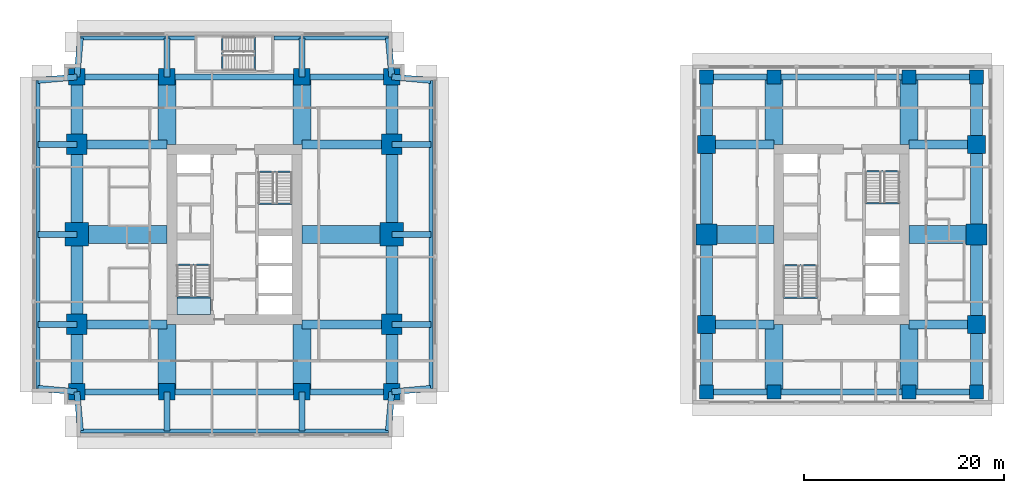
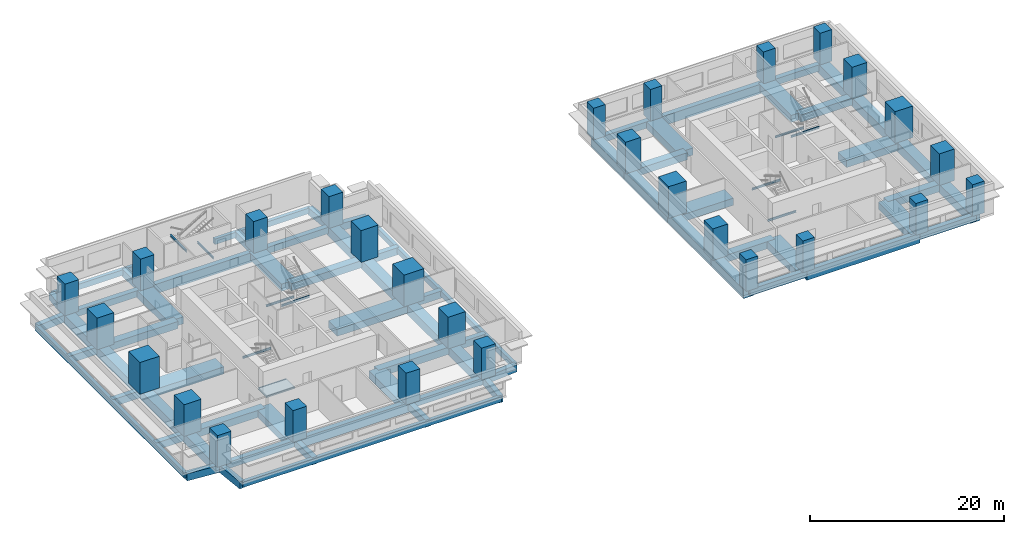
# One storey, part 1 of 11: 81 beams, 28 columns, 1 slab, 1 element without a shape of its own.
"""IFC4 building model written with IfcOpenShell, lengths in metres."""

from ifc_helpers import new_model, si_unit, direction, frame, origin, origin_2d, place, context, subcontext, project, spatial, polyline, rectangle, i_section, outline, extrude, material, layer, layer_set, material_profile, profile_set, type_object, element, aggregate, save


model = new_model("IFC4")

# Units and contexts
model_context = context("Model", 3, precision=1e-05, world=origin(), true_north=direction((0.0, 1.0)))
body_context = subcontext(model_context, "Body", "Model", "MODEL_VIEW")
ifc_project = project(units=[si_unit("LENGTHUNIT", "METRE"), si_unit("AREAUNIT", "SQUARE_METRE"), si_unit("VOLUMEUNIT", "CUBIC_METRE"), si_unit("PLANEANGLEUNIT", "RADIAN"), si_unit("MASSUNIT", "GRAM", prefix="KILO")], contexts=[model_context])

# Site, building, storey
site_placement = place(None, origin())
site = spatial("IfcSite", under=ifc_project, at=site_placement, CompositionType="ELEMENT")
building_placement = place(site_placement, origin())
building = spatial("IfcBuilding", under=site, at=building_placement, Name="Namib Vertical Campus", CompositionType="ELEMENT")
storey_placement = place(building_placement, frame((0.0, 0.0, 189.0)))
storey = spatial("IfcBuildingStorey", under=building, at=storey_placement, Name="L44", CompositionType="ELEMENT", Elevation=189.0)

# Columns
ifc_material_1 = material(Name="Concrete C60/75", Category="concrete")
ifc_material_profile_1 = material_profile(ifc_material_1, rectangle(XDim=1.39990234375, YDim=1.39990234375, at=origin_2d()))
ifc_profile_set_1 = profile_set([ifc_material_profile_1], Name="Concrete C60/75")
column_type_1 = type_object("IfcColumnType", Name="Column RC 1400x1400", PredefinedType="COLUMN", material=ifc_profile_set_1)
for number, where, z_axis, x_axis, name in (
    (1, (67.5, 4.5, 0.0), (0.0, 0.0, 1.0), (1.0, 0.0, 0.0), "Column C140 L44"),
    (2, (74.25, 4.5, 0.0), (0.0, 0.0, 1.0), (1.0, 0.0, 0.0), "Column C140 L44"),
    (3, (87.75, 4.5, 0.0), (0.0, 0.0, 1.0), (1.0, 0.0, 0.0), "Column C140 L44"),
    (4, (94.5, 4.5, 0.0), (0.0, 0.0, 1.0), (1.0, 0.0, 0.0), "Column C140 L44"),
    (5, (67.5, 36.0, 0.0), (0.0, 0.0, 1.0), (1.0, 0.0, 0.0), "Column C140 L44"),
    (6, (74.25, 36.0, 0.0), (0.0, 0.0, 1.0), (1.0, 0.0, 0.0), "Column C140 L44"),
    (7, (87.75, 36.0, 0.0), (0.0, 0.0, 1.0), (1.0, 0.0, 0.0), "Column C140 L44"),
    (8, (94.5, 36.0, 0.0), (0.0, 0.0, 1.0), (1.0, 0.0, 0.0), "Column C140 L44"),
):
    element("IfcColumn", number, at=place(storey_placement, frame(where, z_axis=z_axis, x_axis=x_axis)), inside=storey, type_object=column_type_1, Name=name, PredefinedType="COLUMN", context=body_context, shape_type="SweptSolid", body=[
        extrude(rectangle(XDim=1.39990234375, YDim=1.39990234375, at=origin_2d()), origin(), (0.0, 0.0, 1.0), 4.0),
    ])
ifc_material_2 = material(Name="Concrete C60/75", Category="concrete")
ifc_material_profile_2 = material_profile(ifc_material_2, rectangle(XDim=1.64990234375, YDim=1.64990234375, at=origin_2d()))
ifc_profile_set_2 = profile_set([ifc_material_profile_2], Name="Concrete C60/75")
column_type_2 = type_object("IfcColumnType", Name="Column RC 1650x1650", PredefinedType="COLUMN", material=ifc_profile_set_2)
for number, where, z_axis, x_axis, name in (
    (9, (4.5, 4.5, 0.0), (0.0, 0.0, 1.0), (1.0, 0.0, 0.0), "Column C165 L44"),
    (10, (13.5, 4.5, 0.0), (0.0, 0.0, 1.0), (1.0, 0.0, 0.0), "Column C165 L44"),
    (11, (27.0, 4.5, 0.0), (0.0, 0.0, 1.0), (1.0, 0.0, 0.0), "Column C165 L44"),
    (12, (36.0, 4.5, 0.0), (0.0, 0.0, 1.0), (1.0, 0.0, 0.0), "Column C165 L44"),
    (13, (4.5, 36.0, 0.0), (0.0, 0.0, 1.0), (1.0, 0.0, 0.0), "Column C165 L44"),
    (14, (13.5, 36.0, 0.0), (0.0, 0.0, 1.0), (1.0, 0.0, 0.0), "Column C165 L44"),
    (15, (27.0, 36.0, 0.0), (0.0, 0.0, 1.0), (1.0, 0.0, 0.0), "Column C165 L44"),
    (16, (36.0, 36.0, 0.0), (0.0, 0.0, 1.0), (1.0, 0.0, 0.0), "Column C165 L44"),
):
    element("IfcColumn", number, at=place(storey_placement, frame(where, z_axis=z_axis, x_axis=x_axis)), inside=storey, type_object=column_type_2, Name=name, PredefinedType="COLUMN", context=body_context, shape_type="SweptSolid", body=[
        extrude(rectangle(XDim=1.64990234375, YDim=1.64990234375, at=origin_2d()), origin(), (0.0, 0.0, 1.0), 4.0),
    ])
ifc_material_3 = material(Name="Concrete C60/75", Category="concrete")
ifc_material_profile_3 = material_profile(ifc_material_3, rectangle(XDim=1.800048828125, YDim=1.800048828125, at=origin_2d()))
ifc_profile_set_3 = profile_set([ifc_material_profile_3], Name="Concrete C60/75")
column_type_3 = type_object("IfcColumnType", Name="Column RC 1800x1800", PredefinedType="COLUMN", material=ifc_profile_set_3)
for number, where, z_axis, x_axis, name in (
    (17, (67.5, 11.25, 0.0), (0.0, 0.0, 1.0), (1.0, 0.0, 0.0), "Column C180 L44"),
    (18, (94.5, 11.25, 0.0), (0.0, 0.0, 1.0), (1.0, 0.0, 0.0), "Column C180 L44"),
    (19, (67.5, 29.25, 0.0), (0.0, 0.0, 1.0), (1.0, 0.0, 0.0), "Column C180 L44"),
    (20, (94.5, 29.25, 0.0), (0.0, 0.0, 1.0), (1.0, 0.0, 0.0), "Column C180 L44"),
):
    element("IfcColumn", number, at=place(storey_placement, frame(where, z_axis=z_axis, x_axis=x_axis)), inside=storey, type_object=column_type_3, Name=name, PredefinedType="COLUMN", context=body_context, shape_type="SweptSolid", body=[
        extrude(rectangle(XDim=1.800048828125, YDim=1.800048828125, at=origin_2d()), origin(), (0.0, 0.0, 1.0), 4.0),
    ])
ifc_material_4 = material(Name="Concrete C60/75", Category="concrete")
ifc_material_profile_4 = material_profile(ifc_material_4, rectangle(XDim=2.050048828125, YDim=2.050048828125, at=origin_2d()))
ifc_profile_set_4 = profile_set([ifc_material_profile_4], Name="Concrete C60/75")
column_type_4 = type_object("IfcColumnType", Name="Column RC 2050x2050", PredefinedType="COLUMN", material=ifc_profile_set_4)
for number, where, z_axis, x_axis, name in (
    (21, (4.5, 11.25, 0.0), (0.0, 0.0, 1.0), (1.0, 0.0, 0.0), "Column C205 L44"),
    (22, (36.0, 11.25, 0.0), (0.0, 0.0, 1.0), (1.0, 0.0, 0.0), "Column C205 L44"),
    (23, (4.5, 29.25, 0.0), (0.0, 0.0, 1.0), (1.0, 0.0, 0.0), "Column C205 L44"),
    (24, (36.0, 29.25, 0.0), (0.0, 0.0, 1.0), (1.0, 0.0, 0.0), "Column C205 L44"),
):
    element("IfcColumn", number, at=place(storey_placement, frame(where, z_axis=z_axis, x_axis=x_axis)), inside=storey, type_object=column_type_4, Name=name, PredefinedType="COLUMN", context=body_context, shape_type="SweptSolid", body=[
        extrude(rectangle(XDim=2.050048828125, YDim=2.050048828125, at=origin_2d()), origin(), (0.0, 0.0, 1.0), 4.0),
    ])
ifc_material_5 = material(Name="Concrete C60/75", Category="concrete")
ifc_material_profile_5 = material_profile(ifc_material_5, rectangle(XDim=2.10009765625, YDim=2.10009765625, at=origin_2d()))
ifc_profile_set_5 = profile_set([ifc_material_profile_5], Name="Concrete C60/75")
column_type_5 = type_object("IfcColumnType", Name="Column RC 2100x2100", PredefinedType="COLUMN", material=ifc_profile_set_5)
for number, where, z_axis, x_axis, name in (
    (25, (67.5, 20.25, 0.0), (0.0, 0.0, 1.0), (1.0, 0.0, 0.0), "Column C210 L44"),
    (26, (94.5, 20.25, 0.0), (0.0, 0.0, 1.0), (1.0, 0.0, 0.0), "Column C210 L44"),
):
    element("IfcColumn", number, at=place(storey_placement, frame(where, z_axis=z_axis, x_axis=x_axis)), inside=storey, type_object=column_type_5, Name=name, PredefinedType="COLUMN", context=body_context, shape_type="SweptSolid", body=[
        extrude(rectangle(XDim=2.10009765625, YDim=2.10009765625, at=origin_2d()), origin(), (0.0, 0.0, 1.0), 4.0),
    ])
ifc_material_6 = material(Name="Concrete C60/75", Category="concrete")
ifc_material_profile_6 = material_profile(ifc_material_6, rectangle(XDim=2.35009765625, YDim=2.35009765625, at=origin_2d()))
ifc_profile_set_6 = profile_set([ifc_material_profile_6], Name="Concrete C60/75")
column_type_6 = type_object("IfcColumnType", Name="Column RC 2350x2350", PredefinedType="COLUMN", material=ifc_profile_set_6)
for number, where, z_axis, x_axis, name in (
    (27, (4.5, 20.25, 0.0), (0.0, 0.0, 1.0), (1.0, 0.0, 0.0), "Column C235 L44"),
    (28, (36.0, 20.25, 0.0), (0.0, 0.0, 1.0), (1.0, 0.0, 0.0), "Column C235 L44"),
):
    element("IfcColumn", number, at=place(storey_placement, frame(where, z_axis=z_axis, x_axis=x_axis)), inside=storey, type_object=column_type_6, Name=name, PredefinedType="COLUMN", context=body_context, shape_type="SweptSolid", body=[
        extrude(rectangle(XDim=2.35009765625, YDim=2.35009765625, at=origin_2d()), origin(), (0.0, 0.0, 1.0), 4.0),
    ])

# Beams
ifc_material_7 = material(Name="Concrete C40/50", Category="concrete")
ifc_material_profile_7 = material_profile(ifc_material_7, rectangle(XDim=0.60009765625, YDim=0.89990234375, at=origin_2d()))
ifc_profile_set_7 = profile_set([ifc_material_profile_7], Name="Concrete C40/50")
beam_type_1 = type_object("IfcBeamType", Name="Cantilever girder RC 600x900", PredefinedType="BEAM", material=ifc_profile_set_7)
beam_1_placement = place(storey_placement, frame((4.5, 4.5, -0.699951171875), z_axis=(0.089411326146, -0.995994786511, 0.0), x_axis=(0.995994786511, 0.089411326146, 0.0)))
element("IfcBeam", 29, at=beam_1_placement, inside=storey, type_object=beam_type_1, Name="Beam B3 L44", PredefinedType="BEAM", context=body_context, shape_type="SweptSolid", body=[
    extrude(rectangle(XDim=0.60009765625, YDim=0.89990234375, at=origin_2d()), origin(), (0.0, 0.0, 1.0), 3.91552734375),
])
for number, where, z_axis, x_axis, name in (
    (30, (13.5, 4.5, -0.699951171875), (0.0, -1.0, 0.0), (1.0, 0.0, 0.0), "Beam B3 L44"),
    (31, (27.0, 4.5, -0.699951171875), (0.0, -1.0, 0.0), (1.0, 0.0, 0.0), "Beam B3 L44"),
):
    element("IfcBeam", number, at=place(storey_placement, frame(where, z_axis=z_axis, x_axis=x_axis)), inside=storey, type_object=beam_type_1, Name=name, PredefinedType="BEAM", context=body_context, shape_type="SweptSolid", body=[
        extrude(rectangle(XDim=0.60009765625, YDim=0.89990234375, at=origin_2d()), origin(), (0.0, 0.0, 1.0), 3.89990234375),
    ])
for number, where, z_axis, x_axis, name in (
    (32, (36.0, 4.5, -0.699951171875), (-0.089411326146, -0.995994786511, 0.0), (0.995994786511, -0.089411326146, 0.0), "Beam B3 L44"),
    (33, (4.5, 36.0, -0.699951171875), (0.089411326146, 0.995994786511, 0.0), (-0.995994786511, 0.089411326146, 0.0), "Beam B3 L44"),
):
    element("IfcBeam", number, at=place(storey_placement, frame(where, z_axis=z_axis, x_axis=x_axis)), inside=storey, type_object=beam_type_1, Name=name, PredefinedType="BEAM", context=body_context, shape_type="SweptSolid", body=[
        extrude(rectangle(XDim=0.60009765625, YDim=0.89990234375, at=origin_2d()), origin(), (0.0, 0.0, 1.0), 3.91552734375),
    ])
for number, where, z_axis, x_axis, name in (
    (34, (13.5, 36.0, -0.699951171875), (0.0, 1.0, 0.0), (-1.0, 0.0, 0.0), "Beam B3 L44"),
    (35, (27.0, 36.0, -0.699951171875), (0.0, 1.0, 0.0), (-1.0, 0.0, 0.0), "Beam B3 L44"),
):
    element("IfcBeam", number, at=place(storey_placement, frame(where, z_axis=z_axis, x_axis=x_axis)), inside=storey, type_object=beam_type_1, Name=name, PredefinedType="BEAM", context=body_context, shape_type="SweptSolid", body=[
        extrude(rectangle(XDim=0.60009765625, YDim=0.89990234375, at=origin_2d()), origin(), (0.0, 0.0, 1.0), 3.89990234375),
    ])
for number, where, z_axis, x_axis, name in (
    (36, (36.0, 36.0, -0.699951171875), (-0.089411326146, 0.995994786511, 0.0), (-0.995994786511, -0.089411326146, 0.0), "Beam B3 L44"),
    (37, (4.5, 4.5, -0.699951171875), (-0.995994786511, 0.089411326146, 0.0), (-0.089411326146, -0.995994786511, 0.0), "Beam B3 L44"),
):
    element("IfcBeam", number, at=place(storey_placement, frame(where, z_axis=z_axis, x_axis=x_axis)), inside=storey, type_object=beam_type_1, Name=name, PredefinedType="BEAM", context=body_context, shape_type="SweptSolid", body=[
        extrude(rectangle(XDim=0.60009765625, YDim=0.89990234375, at=origin_2d()), origin(), (0.0, 0.0, 1.0), 3.91552734375),
    ])
for number, where, z_axis, x_axis, name in (
    (38, (4.5, 11.25, -0.699951171875), (-1.0, 0.0, 0.0), (0.0, -1.0, 0.0), "Beam B3 L44"),
    (39, (4.5, 20.25, -0.699951171875), (-1.0, 0.0, 0.0), (0.0, -1.0, 0.0), "Beam B3 L44"),
    (40, (4.5, 29.25, -0.699951171875), (-1.0, 0.0, 0.0), (0.0, -1.0, 0.0), "Beam B3 L44"),
):
    element("IfcBeam", number, at=place(storey_placement, frame(where, z_axis=z_axis, x_axis=x_axis)), inside=storey, type_object=beam_type_1, Name=name, PredefinedType="BEAM", context=body_context, shape_type="SweptSolid", body=[
        extrude(rectangle(XDim=0.60009765625, YDim=0.89990234375, at=origin_2d()), origin(), (0.0, 0.0, 1.0), 3.89990234375),
    ])
for number, where, z_axis, x_axis, name in (
    (41, (4.5, 36.0, -0.699951171875), (-0.995994786511, -0.089411326146, 0.0), (0.089411326146, -0.995994786511, 0.0), "Beam B3 L44"),
    (42, (36.0, 4.5, -0.699951171875), (0.995994786511, 0.089411326146, 0.0), (-0.089411326146, 0.995994786511, 0.0), "Beam B3 L44"),
):
    element("IfcBeam", number, at=place(storey_placement, frame(where, z_axis=z_axis, x_axis=x_axis)), inside=storey, type_object=beam_type_1, Name=name, PredefinedType="BEAM", context=body_context, shape_type="SweptSolid", body=[
        extrude(rectangle(XDim=0.60009765625, YDim=0.89990234375, at=origin_2d()), origin(), (0.0, 0.0, 1.0), 3.91552734375),
    ])
for number, where, z_axis, x_axis, name in (
    (43, (36.0, 11.25, -0.699951171875), (1.0, 0.0, 0.0), (0.0, 1.0, 0.0), "Beam B3 L44"),
    (44, (36.0, 20.25, -0.699951171875), (1.0, 0.0, 0.0), (0.0, 1.0, 0.0), "Beam B3 L44"),
    (45, (36.0, 29.25, -0.699951171875), (1.0, 0.0, 0.0), (0.0, 1.0, 0.0), "Beam B3 L44"),
):
    element("IfcBeam", number, at=place(storey_placement, frame(where, z_axis=z_axis, x_axis=x_axis)), inside=storey, type_object=beam_type_1, Name=name, PredefinedType="BEAM", context=body_context, shape_type="SweptSolid", body=[
        extrude(rectangle(XDim=0.60009765625, YDim=0.89990234375, at=origin_2d()), origin(), (0.0, 0.0, 1.0), 3.89990234375),
    ])
beam_2_placement = place(storey_placement, frame((36.0, 36.0, -0.699951171875), z_axis=(0.995994786511, -0.089411326146, 0.0), x_axis=(0.089411326146, 0.995994786511, 0.0)))
element("IfcBeam", 46, at=beam_2_placement, inside=storey, type_object=beam_type_1, Name="Beam B3 L44", PredefinedType="BEAM", context=body_context, shape_type="SweptSolid", body=[
    extrude(rectangle(XDim=0.60009765625, YDim=0.89990234375, at=origin_2d()), origin(), (0.0, 0.0, 1.0), 3.91552734375),
])
ifc_material_8 = material(Name="Concrete C40/50", Category="concrete")
ifc_material_profile_8 = material_profile(ifc_material_8, rectangle(XDim=0.39990234375, YDim=0.699951171875, at=origin_2d()))
ifc_profile_set_8 = profile_set([ifc_material_profile_8], Name="Concrete C40/50")
beam_type_2 = type_object("IfcBeamType", Name="Edge beam RC 400x700", PredefinedType="SPANDREL", material=ifc_profile_set_8)
beam_3_placement = place(storey_placement, frame((4.85009765625, 0.60009765625, -0.60009765625), z_axis=(1.0, 0.0, 0.0), x_axis=(0.0, 1.0, 0.0)))
element("IfcBeam", 47, at=beam_3_placement, inside=storey, type_object=beam_type_2, Name="Beam B4 L44", PredefinedType="SPANDREL", context=body_context, shape_type="SweptSolid", body=[
    extrude(rectangle(XDim=0.39990234375, YDim=0.699951171875, at=origin_2d()), origin(), (0.0, 0.0, 1.0), 30.7998046875),
])
for number, where, z_axis, x_axis, name in (
    (48, (4.85009765625, 39.89990234375, -0.60009765625), (1.0, 0.0, 0.0), (0.0, 1.0, 0.0), "Beam B4 L44"),
    (49, (24.199951171875, 39.89990234375, -0.60009765625), (1.0, 0.0, 0.0), (0.0, 1.0, 0.0), "Beam B4 L44"),
):
    element("IfcBeam", number, at=place(storey_placement, frame(where, z_axis=z_axis, x_axis=x_axis)), inside=storey, type_object=beam_type_2, Name=name, PredefinedType="SPANDREL", context=body_context, shape_type="SweptSolid", body=[
        extrude(rectangle(XDim=0.39990234375, YDim=0.699951171875, at=origin_2d()), origin(), (0.0, 0.0, 1.0), 11.449951171875),
    ])
for number, where, z_axis, x_axis, name in (
    (50, (0.60009765625, 4.85009765625, -0.60009765625), (0.0, 1.0, 0.0), (-1.0, 0.0, 0.0), "Beam B4 L44"),
    (51, (39.89990234375, 4.85009765625, -0.60009765625), (0.0, 1.0, 0.0), (-1.0, 0.0, 0.0), "Beam B4 L44"),
):
    element("IfcBeam", number, at=place(storey_placement, frame(where, z_axis=z_axis, x_axis=x_axis)), inside=storey, type_object=beam_type_2, Name=name, PredefinedType="SPANDREL", context=body_context, shape_type="SweptSolid", body=[
        extrude(rectangle(XDim=0.39990234375, YDim=0.699951171875, at=origin_2d()), origin(), (0.0, 0.0, 1.0), 30.7998046875),
    ])
ifc_material_9 = material(Name="Concrete C40/50", Category="concrete")
ifc_material_profile_9 = material_profile(ifc_material_9, rectangle(XDim=0.89990234375, YDim=0.89990234375, at=origin_2d()))
ifc_profile_set_9 = profile_set([ifc_material_profile_9], Name="Concrete C40/50")
beam_type_3 = type_object("IfcBeamType", Name="Face girder RC 900x900", PredefinedType="BEAM", material=ifc_profile_set_9)
for number, where, z_axis, x_axis, name in (
    (52, (4.5, 11.25, -0.699951171875), (1.0, 0.0, 0.0), (0.0, 1.0, 0.0), "Beam B10 L44"),
    (53, (36.0, 11.25, -0.699951171875), (-1.0, 0.0, 0.0), (0.0, -1.0, 0.0), "Beam B10 L44"),
    (54, (4.5, 29.25, -0.699951171875), (1.0, 0.0, 0.0), (0.0, 1.0, 0.0), "Beam B10 L44"),
    (55, (36.0, 29.25, -0.699951171875), (-1.0, 0.0, 0.0), (0.0, -1.0, 0.0), "Beam B10 L44"),
):
    element("IfcBeam", number, at=place(storey_placement, frame(where, z_axis=z_axis, x_axis=x_axis)), inside=storey, type_object=beam_type_3, Name=name, PredefinedType="BEAM", context=body_context, shape_type="SweptSolid", body=[
        extrude(rectangle(XDim=0.89990234375, YDim=0.89990234375, at=origin_2d()), origin(), (0.0, 0.0, 1.0), 9.0),
    ])
for number, where, z_axis, x_axis, name in (
    (56, (67.5, 11.25, -0.699951171875), (1.0, 0.0, 0.0), (0.0, 1.0, 0.0), "Beam B10 L44"),
    (57, (94.5, 11.25, -0.699951171875), (-1.0, 0.0, 0.0), (0.0, -1.0, 0.0), "Beam B10 L44"),
    (58, (67.5, 29.25, -0.699951171875), (1.0, 0.0, 0.0), (0.0, 1.0, 0.0), "Beam B10 L44"),
    (59, (94.5, 29.25, -0.699951171875), (-1.0, 0.0, 0.0), (0.0, -1.0, 0.0), "Beam B10 L44"),
):
    element("IfcBeam", number, at=place(storey_placement, frame(where, z_axis=z_axis, x_axis=x_axis)), inside=storey, type_object=beam_type_3, Name=name, PredefinedType="BEAM", context=body_context, shape_type="SweptSolid", body=[
        extrude(rectangle(XDim=0.89990234375, YDim=0.89990234375, at=origin_2d()), origin(), (0.0, 0.0, 1.0), 6.75),
    ])
ifc_material_10 = material(Name="Concrete C40/50", Category="concrete")
ifc_material_profile_10 = material_profile(ifc_material_10, rectangle(XDim=1.199951171875, YDim=1.10009765625, at=origin_2d()))
ifc_profile_set_10 = profile_set([ifc_material_profile_10], Name="Concrete C40/50")
beam_type_4 = type_object("IfcBeamType", Name="Face ring beam RC 1200x1100", PredefinedType="BEAM", material=ifc_profile_set_10)
beam_4_placement = place(storey_placement, frame((4.5, 4.5, -0.800048828125), z_axis=(0.0, 1.0, 0.0), x_axis=(-1.0, 0.0, 0.0)))
element("IfcBeam", 60, at=beam_4_placement, inside=storey, type_object=beam_type_4, Name="Beam B11 L44", PredefinedType="BEAM", context=body_context, shape_type="SweptSolid", body=[
    extrude(rectangle(XDim=1.199951171875, YDim=1.10009765625, at=origin_2d()), origin(), (0.0, 0.0, 1.0), 6.75),
])
for number, where, z_axis, x_axis, name in (
    (61, (4.5, 11.25, -0.800048828125), (0.0, 1.0, 0.0), (-1.0, 0.0, 0.0), "Beam B11 L44"),
    (62, (4.5, 20.25, -0.800048828125), (0.0, 1.0, 0.0), (-1.0, 0.0, 0.0), "Beam B11 L44"),
):
    element("IfcBeam", number, at=place(storey_placement, frame(where, z_axis=z_axis, x_axis=x_axis)), inside=storey, type_object=beam_type_4, Name=name, PredefinedType="BEAM", context=body_context, shape_type="SweptSolid", body=[
        extrude(rectangle(XDim=1.199951171875, YDim=1.10009765625, at=origin_2d()), origin(), (0.0, 0.0, 1.0), 9.0),
    ])
for number, where, z_axis, x_axis, name in (
    (63, (4.5, 29.25, -0.800048828125), (0.0, 1.0, 0.0), (-1.0, 0.0, 0.0), "Beam B11 L44"),
    (64, (36.0, 4.5, -0.800048828125), (0.0, 1.0, 0.0), (-1.0, 0.0, 0.0), "Beam B11 L44"),
):
    element("IfcBeam", number, at=place(storey_placement, frame(where, z_axis=z_axis, x_axis=x_axis)), inside=storey, type_object=beam_type_4, Name=name, PredefinedType="BEAM", context=body_context, shape_type="SweptSolid", body=[
        extrude(rectangle(XDim=1.199951171875, YDim=1.10009765625, at=origin_2d()), origin(), (0.0, 0.0, 1.0), 6.75),
    ])
for number, where, z_axis, x_axis, name in (
    (65, (36.0, 11.25, -0.800048828125), (0.0, 1.0, 0.0), (-1.0, 0.0, 0.0), "Beam B11 L44"),
    (66, (36.0, 20.25, -0.800048828125), (0.0, 1.0, 0.0), (-1.0, 0.0, 0.0), "Beam B11 L44"),
):
    element("IfcBeam", number, at=place(storey_placement, frame(where, z_axis=z_axis, x_axis=x_axis)), inside=storey, type_object=beam_type_4, Name=name, PredefinedType="BEAM", context=body_context, shape_type="SweptSolid", body=[
        extrude(rectangle(XDim=1.199951171875, YDim=1.10009765625, at=origin_2d()), origin(), (0.0, 0.0, 1.0), 9.0),
    ])
for number, where, z_axis, x_axis, name in (
    (67, (36.0, 29.25, -0.800048828125), (0.0, 1.0, 0.0), (-1.0, 0.0, 0.0), "Beam B11 L44"),
    (68, (67.5, 4.5, -0.800048828125), (0.0, 1.0, 0.0), (-1.0, 0.0, 0.0), "Beam B11 L44"),
):
    element("IfcBeam", number, at=place(storey_placement, frame(where, z_axis=z_axis, x_axis=x_axis)), inside=storey, type_object=beam_type_4, Name=name, PredefinedType="BEAM", context=body_context, shape_type="SweptSolid", body=[
        extrude(rectangle(XDim=1.199951171875, YDim=1.10009765625, at=origin_2d()), origin(), (0.0, 0.0, 1.0), 6.75),
    ])
for number, where, z_axis, x_axis, name in (
    (69, (67.5, 11.25, -0.800048828125), (0.0, 1.0, 0.0), (-1.0, 0.0, 0.0), "Beam B11 L44"),
    (70, (67.5, 20.25, -0.800048828125), (0.0, 1.0, 0.0), (-1.0, 0.0, 0.0), "Beam B11 L44"),
):
    element("IfcBeam", number, at=place(storey_placement, frame(where, z_axis=z_axis, x_axis=x_axis)), inside=storey, type_object=beam_type_4, Name=name, PredefinedType="BEAM", context=body_context, shape_type="SweptSolid", body=[
        extrude(rectangle(XDim=1.199951171875, YDim=1.10009765625, at=origin_2d()), origin(), (0.0, 0.0, 1.0), 9.0),
    ])
for number, where, z_axis, x_axis, name in (
    (71, (67.5, 29.25, -0.800048828125), (0.0, 1.0, 0.0), (-1.0, 0.0, 0.0), "Beam B11 L44"),
    (72, (94.5, 4.5, -0.800048828125), (0.0, 1.0, 0.0), (-1.0, 0.0, 0.0), "Beam B11 L44"),
):
    element("IfcBeam", number, at=place(storey_placement, frame(where, z_axis=z_axis, x_axis=x_axis)), inside=storey, type_object=beam_type_4, Name=name, PredefinedType="BEAM", context=body_context, shape_type="SweptSolid", body=[
        extrude(rectangle(XDim=1.199951171875, YDim=1.10009765625, at=origin_2d()), origin(), (0.0, 0.0, 1.0), 6.75),
    ])
for number, where, z_axis, x_axis, name in (
    (73, (94.5, 11.25, -0.800048828125), (0.0, 1.0, 0.0), (-1.0, 0.0, 0.0), "Beam B11 L44"),
    (74, (94.5, 20.25, -0.800048828125), (0.0, 1.0, 0.0), (-1.0, 0.0, 0.0), "Beam B11 L44"),
):
    element("IfcBeam", number, at=place(storey_placement, frame(where, z_axis=z_axis, x_axis=x_axis)), inside=storey, type_object=beam_type_4, Name=name, PredefinedType="BEAM", context=body_context, shape_type="SweptSolid", body=[
        extrude(rectangle(XDim=1.199951171875, YDim=1.10009765625, at=origin_2d()), origin(), (0.0, 0.0, 1.0), 9.0),
    ])
beam_5_placement = place(storey_placement, frame((94.5, 29.25, -0.800048828125), z_axis=(0.0, 1.0, 0.0), x_axis=(-1.0, 0.0, 0.0)))
element("IfcBeam", 75, at=beam_5_placement, inside=storey, type_object=beam_type_4, Name="Beam B11 L44", PredefinedType="BEAM", context=body_context, shape_type="SweptSolid", body=[
    extrude(rectangle(XDim=1.199951171875, YDim=1.10009765625, at=origin_2d()), origin(), (0.0, 0.0, 1.0), 6.75),
])
ifc_material_11 = material(Name="Steel S355JR", Category="steel")
ifc_material_profile_11 = material_profile(ifc_material_11, i_section(OverallWidth=0.14599609375, OverallDepth=0.25146484375, WebThickness=0.006103515625, FlangeThickness=0.008544921875, FilletRadius=0.007568359375, at=origin_2d()))
ifc_profile_set_11 = profile_set([ifc_material_profile_11], Name="Steel S355JR")
beam_type_5 = type_object("IfcBeamType", Name="Landing trimmer UB 254x146x31", PredefinedType="BEAM", material=ifc_profile_set_11)
for number, where, z_axis, x_axis, name in (
    (76, (14.5, 13.97705078125, -0.125732421875), (1.0, 0.0, 0.0), (0.0, 1.0, 0.0), "Landing trimmer LT1 A-S1 L44 1"),
    (77, (14.5, 17.203125, 1.874267578125), (1.0, 0.0, 0.0), (0.0, 1.0, 0.0), "Landing trimmer LT1 A-S1 L44 2"),
    (78, (22.64990234375, 26.52294921875, -0.125732421875), (1.0, 0.0, 0.0), (0.0, 1.0, 0.0), "Landing trimmer LT1 A-S2 L44 1"),
    (79, (22.64990234375, 23.296875, 1.874267578125), (1.0, 0.0, 0.0), (0.0, 1.0, 0.0), "Landing trimmer LT1 A-S2 L44 2"),
):
    element("IfcBeam", number, at=place(storey_placement, frame(where, z_axis=z_axis, x_axis=x_axis)), inside=storey, type_object=beam_type_5, Name=name, PredefinedType="BEAM", context=body_context, shape_type="SweptSolid", body=[
        extrude(i_section(OverallWidth=0.14599609375, OverallDepth=0.25146484375, WebThickness=0.006103515625, FlangeThickness=0.008544921875, FilletRadius=0.007568359375, at=origin_2d()), origin(), (0.0, 0.0, 1.0), 3.35009765625),
    ])
for number, where, z_axis, x_axis, name in (
    (80, (75.199951171875, 13.927001953125, -0.125732421875), (1.0, 0.0, 0.0), (0.0, 1.0, 0.0), "Landing trimmer LT1 B-S1 L44 1"),
    (81, (75.199951171875, 17.153076171875, 1.874267578125), (1.0, 0.0, 0.0), (0.0, 1.0, 0.0), "Landing trimmer LT1 B-S1 L44 2"),
    (82, (83.39990234375, 26.572998046875, -0.125732421875), (1.0, 0.0, 0.0), (0.0, 1.0, 0.0), "Landing trimmer LT1 B-S2 L44 1"),
    (83, (83.39990234375, 23.346923828125, 1.874267578125), (1.0, 0.0, 0.0), (0.0, 1.0, 0.0), "Landing trimmer LT1 B-S2 L44 2"),
):
    element("IfcBeam", number, at=place(storey_placement, frame(where, z_axis=z_axis, x_axis=x_axis)), inside=storey, type_object=beam_type_5, Name=name, PredefinedType="BEAM", context=body_context, shape_type="SweptSolid", body=[
        extrude(i_section(OverallWidth=0.14599609375, OverallDepth=0.25146484375, WebThickness=0.006103515625, FlangeThickness=0.008544921875, FilletRadius=0.007568359375, at=origin_2d()), origin(), (0.0, 0.0, 1.0), 3.400146484375),
    ])
for number, where, z_axis, x_axis, name in (
    (84, (22.27294921875, 36.64990234375, -0.125732421875), (0.0, 1.0, 0.0), (-1.0, 0.0, 0.0), "Landing trimmer LT1 A-S3 L44 1"),
    (85, (19.046875, 36.64990234375, 1.874267578125), (0.0, 1.0, 0.0), (-1.0, 0.0, 0.0), "Landing trimmer LT1 A-S3 L44 2"),
):
    element("IfcBeam", number, at=place(storey_placement, frame(where, z_axis=z_axis, x_axis=x_axis)), inside=storey, type_object=beam_type_5, Name=name, PredefinedType="BEAM", context=body_context, shape_type="SweptSolid", body=[
        extrude(i_section(OverallWidth=0.14599609375, OverallDepth=0.25146484375, WebThickness=0.006103515625, FlangeThickness=0.008544921875, FilletRadius=0.007568359375, at=origin_2d()), origin(), (0.0, 0.0, 1.0), 3.35009765625),
    ])
ifc_material_12 = material(Name="Concrete C40/50", Category="concrete")
ifc_material_profile_12 = material_profile(ifc_material_12, rectangle(XDim=0.60009765625, YDim=1.199951171875, at=origin_2d()))
ifc_profile_set_12 = profile_set([ifc_material_profile_12], Name="Concrete C40/50")
beam_type_6 = type_object("IfcBeamType", Name="Long-span ring beam RC 600x1200", PredefinedType="BEAM", material=ifc_profile_set_12)
for number, where, z_axis, x_axis, name in (
    (86, (13.5, 4.5, -0.85009765625), (1.0, 0.0, 0.0), (0.0, 1.0, 0.0), "Beam B9 L44"),
    (87, (13.5, 36.0, -0.85009765625), (1.0, 0.0, 0.0), (0.0, 1.0, 0.0), "Beam B9 L44"),
    (88, (74.25, 4.5, -0.85009765625), (1.0, 0.0, 0.0), (0.0, 1.0, 0.0), "Beam B9 L44"),
    (89, (74.25, 36.0, -0.85009765625), (1.0, 0.0, 0.0), (0.0, 1.0, 0.0), "Beam B9 L44"),
):
    element("IfcBeam", number, at=place(storey_placement, frame(where, z_axis=z_axis, x_axis=x_axis)), inside=storey, type_object=beam_type_6, Name=name, PredefinedType="BEAM", context=body_context, shape_type="SweptSolid", body=[
        extrude(rectangle(XDim=0.60009765625, YDim=1.199951171875, at=origin_2d()), origin(), (0.0, 0.0, 1.0), 13.5),
    ])
ifc_material_13 = material(Name="Concrete C40/50", Category="concrete")
ifc_material_profile_13 = material_profile(ifc_material_13, rectangle(XDim=1.800048828125, YDim=0.89990234375, at=origin_2d()))
ifc_profile_set_13 = profile_set([ifc_material_profile_13], Name="Concrete C40/50")
beam_type_7 = type_object("IfcBeamType", Name="Outrigger line girder RC 1800x900", PredefinedType="BEAM", material=ifc_profile_set_13)
for number, where, z_axis, x_axis, name in (
    (90, (13.5, 4.5, -0.699951171875), (0.0, 1.0, 0.0), (-1.0, 0.0, 0.0), "Beam B12 L44"),
    (91, (13.5, 36.0, -0.699951171875), (0.0, -1.0, 0.0), (1.0, 0.0, 0.0), "Beam B12 L44"),
    (92, (27.0, 4.5, -0.699951171875), (0.0, 1.0, 0.0), (-1.0, 0.0, 0.0), "Beam B12 L44"),
    (93, (27.0, 36.0, -0.699951171875), (0.0, -1.0, 0.0), (1.0, 0.0, 0.0), "Beam B12 L44"),
):
    element("IfcBeam", number, at=place(storey_placement, frame(where, z_axis=z_axis, x_axis=x_axis)), inside=storey, type_object=beam_type_7, Name=name, PredefinedType="BEAM", context=body_context, shape_type="SweptSolid", body=[
        extrude(rectangle(XDim=1.800048828125, YDim=0.89990234375, at=origin_2d()), origin(), (0.0, 0.0, 1.0), 6.75),
    ])
for number, where, z_axis, x_axis, name in (
    (94, (4.5, 20.25, -0.699951171875), (1.0, 0.0, 0.0), (0.0, 1.0, 0.0), "Beam B12 L44"),
    (95, (36.0, 20.25, -0.699951171875), (-1.0, 0.0, 0.0), (0.0, -1.0, 0.0), "Beam B12 L44"),
):
    element("IfcBeam", number, at=place(storey_placement, frame(where, z_axis=z_axis, x_axis=x_axis)), inside=storey, type_object=beam_type_7, Name=name, PredefinedType="BEAM", context=body_context, shape_type="SweptSolid", body=[
        extrude(rectangle(XDim=1.800048828125, YDim=0.89990234375, at=origin_2d()), origin(), (0.0, 0.0, 1.0), 9.0),
    ])
for number, where, z_axis, x_axis, name in (
    (96, (74.25, 4.5, -0.699951171875), (0.0, 1.0, 0.0), (-1.0, 0.0, 0.0), "Beam B12 L44"),
    (97, (74.25, 36.0, -0.699951171875), (0.0, -1.0, 0.0), (1.0, 0.0, 0.0), "Beam B12 L44"),
    (98, (87.75, 4.5, -0.699951171875), (0.0, 1.0, 0.0), (-1.0, 0.0, 0.0), "Beam B12 L44"),
    (99, (87.75, 36.0, -0.699951171875), (0.0, -1.0, 0.0), (1.0, 0.0, 0.0), "Beam B12 L44"),
    (100, (67.5, 20.25, -0.699951171875), (1.0, 0.0, 0.0), (0.0, 1.0, 0.0), "Beam B12 L44"),
    (101, (94.5, 20.25, -0.699951171875), (-1.0, 0.0, 0.0), (0.0, -1.0, 0.0), "Beam B12 L44"),
):
    element("IfcBeam", number, at=place(storey_placement, frame(where, z_axis=z_axis, x_axis=x_axis)), inside=storey, type_object=beam_type_7, Name=name, PredefinedType="BEAM", context=body_context, shape_type="SweptSolid", body=[
        extrude(rectangle(XDim=1.800048828125, YDim=0.89990234375, at=origin_2d()), origin(), (0.0, 0.0, 1.0), 6.75),
    ])
ifc_material_14 = material(Name="Concrete C40/50", Category="concrete")
ifc_material_profile_14 = material_profile(ifc_material_14, rectangle(XDim=0.60009765625, YDim=0.800048828125, at=origin_2d()))
ifc_profile_set_14 = profile_set([ifc_material_profile_14], Name="Concrete C40/50")
beam_type_8 = type_object("IfcBeamType", Name="Ring beam RC 600x800", PredefinedType="BEAM", material=ifc_profile_set_14)
for number, where, z_axis, x_axis, name in (
    (102, (4.5, 4.5, -0.64990234375), (1.0, 0.0, 0.0), (0.0, 1.0, 0.0), "Beam B1 L44"),
    (103, (27.0, 4.5, -0.64990234375), (1.0, 0.0, 0.0), (0.0, 1.0, 0.0), "Beam B1 L44"),
    (104, (4.5, 36.0, -0.64990234375), (1.0, 0.0, 0.0), (0.0, 1.0, 0.0), "Beam B1 L44"),
    (105, (27.0, 36.0, -0.64990234375), (1.0, 0.0, 0.0), (0.0, 1.0, 0.0), "Beam B1 L44"),
):
    element("IfcBeam", number, at=place(storey_placement, frame(where, z_axis=z_axis, x_axis=x_axis)), inside=storey, type_object=beam_type_8, Name=name, PredefinedType="BEAM", context=body_context, shape_type="SweptSolid", body=[
        extrude(rectangle(XDim=0.60009765625, YDim=0.800048828125, at=origin_2d()), origin(), (0.0, 0.0, 1.0), 9.0),
    ])
for number, where, z_axis, x_axis, name in (
    (106, (67.5, 4.5, -0.64990234375), (1.0, 0.0, 0.0), (0.0, 1.0, 0.0), "Beam B1 L44"),
    (107, (87.75, 4.5, -0.64990234375), (1.0, 0.0, 0.0), (0.0, 1.0, 0.0), "Beam B1 L44"),
    (108, (67.5, 36.0, -0.64990234375), (1.0, 0.0, 0.0), (0.0, 1.0, 0.0), "Beam B1 L44"),
    (109, (87.75, 36.0, -0.64990234375), (1.0, 0.0, 0.0), (0.0, 1.0, 0.0), "Beam B1 L44"),
):
    element("IfcBeam", number, at=place(storey_placement, frame(where, z_axis=z_axis, x_axis=x_axis)), inside=storey, type_object=beam_type_8, Name=name, PredefinedType="BEAM", context=body_context, shape_type="SweptSolid", body=[
        extrude(rectangle(XDim=0.60009765625, YDim=0.800048828125, at=origin_2d()), origin(), (0.0, 0.0, 1.0), 6.75),
    ])

# Stair, slab
ifc_material_15 = material(Name="Concrete C40/50 precast", Category="concrete")
stair_type = type_object("IfcStairType", Name="Exit stair 4000 rise 24 risers 3350 wide", PredefinedType="HALF_TURN_STAIR", material=ifc_material_15)
stair_placement = place(storey_placement, origin())
stair = element("IfcStair", 110, at=stair_placement, inside=storey, type_object=stair_type, Name="Exit stair A-S1 L44", PredefinedType="HALF_TURN_STAIR")
ifc_material_16 = material(Name="Concrete C40/50", Category="concrete")
ifc_layer = layer(ifc_material_16, 0.199951171875)
ifc_layer_set = layer_set([ifc_layer], Name="Concrete C40/50")
slab_type = type_object("IfcSlabType", Name="Stair landing 200", PredefinedType="LANDING", material=ifc_layer_set)
slab_placement = place(storey_placement, frame((0.0, 0.0, -0.199951171875)))
slab = element("IfcSlab", 111, at=slab_placement, type_object=slab_type, Name="A-S1 landing 1", PredefinedType="LANDING", context=body_context, shape_type="SweptSolid", body=[
    extrude(outline(polyline([(14.5, 12.25), (17.85009765625, 12.25), (17.85009765625, 13.90380859375), (14.5, 13.90380859375), (14.5, 12.25)])), origin(), (0.0, 0.0, 1.0), 0.199951171875),
])
aggregate(stair, [slab])

save(model, "model.ifc")
